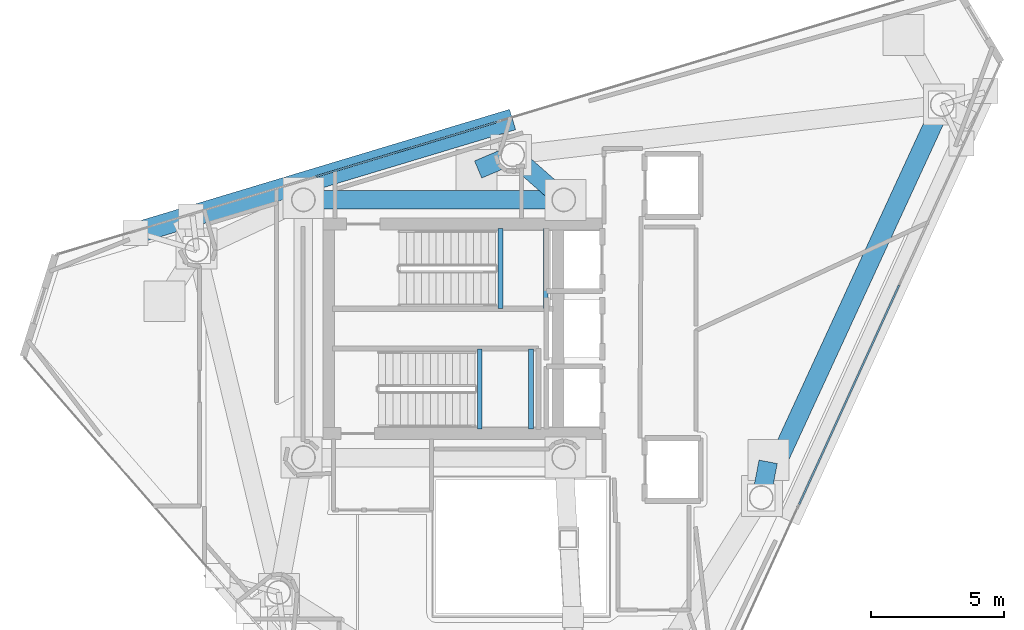
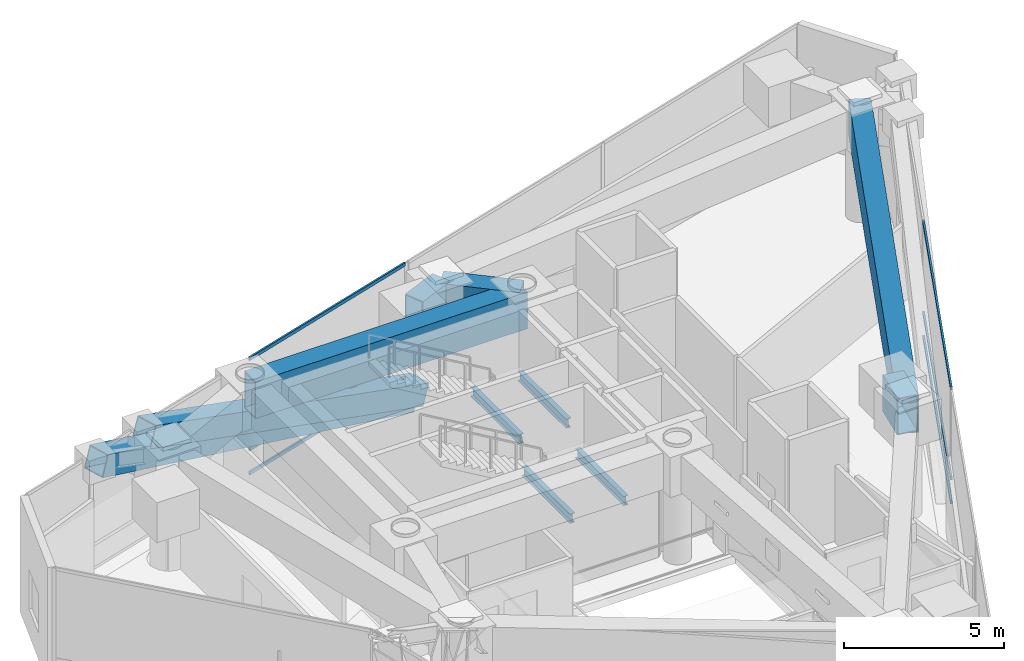
# One storey, part 10 of 20: 9 beams, 8 members, 2 elements without a shape of their own.
"""IFC4 building model written with IfcOpenShell, lengths in metres."""

from ifc_helpers import new_model, si_unit, direction, frame, origin, origin_2d, place, context, subcontext, project, spatial, hollow_rectangle, i_section, extrude, material, layer, layer_set, material_profile, profile_set, type_object, element, aggregate, save


model = new_model("IFC4")

# Units and contexts
model_context = context("Model", 3, precision=1e-05, world=origin(), true_north=direction((0.0, 1.0)))
body_context = subcontext(model_context, "Body", "Model", "MODEL_VIEW")
ifc_project = project(units=[si_unit("LENGTHUNIT", "METRE"), si_unit("AREAUNIT", "SQUARE_METRE"), si_unit("VOLUMEUNIT", "CUBIC_METRE"), si_unit("PLANEANGLEUNIT", "RADIAN"), si_unit("MASSUNIT", "GRAM", prefix="KILO")], contexts=[model_context])

# Site, building, storey
site_placement = place(None, origin())
site = spatial("IfcSite", under=ifc_project, at=site_placement, CompositionType="ELEMENT")
building_placement = place(site_placement, origin())
building = spatial("IfcBuilding", under=site, at=building_placement, Name="Qianvela Tower", CompositionType="ELEMENT")
storey_placement = place(building_placement, frame((0.0, 0.0, 321.300048828125)))
storey = spatial("IfcBuildingStorey", under=building, at=storey_placement, Name="L83", CompositionType="ELEMENT", Elevation=321.300048828125)

# Beams
ifc_material_1 = material(Name="Steel Q355B", Category="steel")
ifc_material_profile_1 = material_profile(ifc_material_1, i_section(OverallWidth=0.175048828125, OverallDepth=0.35009765625, WebThickness=0.007080078125, FlangeThickness=0.010986328125, at=origin_2d()), Name="HN350x175x7x11")
ifc_profile_set_1 = profile_set([ifc_material_profile_1], Name="Steel Q355B")
beam_type_1 = type_object("IfcBeamType", Name="BM-HN350-JOIST", PredefinedType="JOIST", material=ifc_profile_set_1)
for number, where, z_axis, x_axis, name in (
    (1, (36.02001953125, 29.4599609375, 1.925048828125), (0.0, 1.0, 0.0), (-1.0, 0.0, 0.0), "L83 Stair ST-1 Landing Support Beam 1.1"),
    (2, (37.719970703125, 29.4599609375, 1.925048828125), (0.0, 1.0, 0.0), (-1.0, 0.0, 0.0), "L83 Stair ST-1 Landing Support Beam 1.2"),
    (3, (35.239990234375, 24.919921875, 1.925048828125), (0.0, 1.0, 0.0), (-1.0, 0.0, 0.0), "L83 Stair ST-2 Landing Support Beam 1.1"),
    (4, (37.169921875, 24.919921875, 1.925048828125), (0.0, 1.0, 0.0), (-1.0, 0.0, 0.0), "L83 Stair ST-2 Landing Support Beam 1.2"),
):
    element("IfcBeam", number, at=place(storey_placement, frame(where, z_axis=z_axis, x_axis=x_axis)), inside=storey, type_object=beam_type_1, Name=name, PredefinedType="JOIST", context=body_context, shape_type="SweptSolid", body=[
        extrude(i_section(OverallWidth=0.175048828125, OverallDepth=0.35009765625, WebThickness=0.007080078125, FlangeThickness=0.010986328125, at=origin_2d()), origin(), (0.0, 0.0, 1.0), 3.02001953125),
    ])
ifc_material_2 = material(Name="Steel Q420GJC", Category="steel")
ifc_material_profile_2 = material_profile(ifc_material_2, hollow_rectangle(XDim=0.699951171875, YDim=1.39990234375, WallThickness=0.0400390625, at=origin_2d()), Name="TG-BOX-1400x700x40")
ifc_profile_set_2 = profile_set([ifc_material_profile_2], Name="Steel Q420GJC")
beam_type_2 = type_object("IfcBeamType", Name="BM-TG-RAD-1400", PredefinedType="BEAM", material=ifc_profile_set_2)
beam_1_placement = place(storey_placement, frame((28.60009765625, 33.550048828125, 3.718017578125), z_axis=(1.0, 0.0, 0.0), x_axis=(0.0, 1.0, 0.0)))
element("IfcBeam", 5, at=beam_1_placement, inside=storey, type_object=beam_type_2, Name="L83 Core Ring Transfer Girder 3", PredefinedType="BEAM", context=body_context, shape_type="SweptSolid", body=[
    extrude(hollow_rectangle(XDim=0.699951171875, YDim=1.39990234375, WallThickness=0.0400390625, at=origin_2d()), origin(), (0.0, 0.0, 1.0), 9.7998046875),
])
beam_2_placement = place(storey_placement, frame((45.833984375, 22.344970703125, 3.718017578125), z_axis=(0.418440097712, 0.908244396969, 0.0), x_axis=(-0.908244396969, 0.418440097712, 0.0)))
element("IfcBeam", 6, at=beam_2_placement, inside=storey, type_object=beam_type_2, Name="L83 Perimeter Belt-Truss Top Ring Girder 6", PredefinedType="BEAM", context=body_context, shape_type="SweptSolid", body=[
    extrude(hollow_rectangle(XDim=0.699951171875, YDim=1.39990234375, WallThickness=0.0400390625, at=origin_2d()), origin(), (0.0, 0.0, 1.0), 16.2841796875),
])
beam_3_placement = place(storey_placement, frame((38.39990234375, 33.550048828125, 3.718017578125), z_axis=(-0.750732416106, 0.660606417928, 0.0), x_axis=(-0.660606417928, -0.750732416106, 0.0)))
element("IfcBeam", 7, at=beam_3_placement, inside=storey, type_object=beam_type_2, Name="L83 Radial Outrigger Top Transfer Girder 2", PredefinedType="BEAM", context=body_context, shape_type="SweptSolid", body=[
    extrude(hollow_rectangle(XDim=0.699951171875, YDim=1.39990234375, WallThickness=0.0400390625, at=origin_2d()), origin(), (0.0, 0.0, 1.0), 2.5625),
])
ifc_material_3 = material(Name="Steel Q420GJC", Category="steel")
ifc_material_profile_3 = material_profile(ifc_material_3, hollow_rectangle(XDim=0.699951171875, YDim=1.39990234375, WallThickness=0.0400390625, at=origin_2d()), Name="TG-BOX-1400x700x40")
ifc_profile_set_3 = profile_set([ifc_material_profile_3], Name="Steel Q420GJC")
beam_type_3 = type_object("IfcBeamType", Name="BM-TG-STEP-1400", PredefinedType="BEAM", material=ifc_profile_set_3)
beam_4_placement = place(storey_placement, frame((36.47607421875, 35.242919921875, 3.718017578125), z_axis=(-0.921413572969, -0.388583359846, 0.0), x_axis=(0.388583359846, -0.921413572969, 0.0)))
element("IfcBeam", 8, at=beam_4_placement, inside=storey, type_object=beam_type_3, Name="L83 Zone-Step Transfer Girder 2", PredefinedType="BEAM", context=body_context, shape_type="SweptSolid", body=[
    extrude(hollow_rectangle(XDim=0.699951171875, YDim=1.39990234375, WallThickness=0.0400390625, at=origin_2d()), origin(), (0.0, 0.0, 1.0), 1.409912109375),
])
beam_5_placement = place(storey_placement, frame((45.833984375, 22.344970703125, 3.718017578125), z_axis=(0.190359643915, 0.981714421799, 0.0), x_axis=(-0.981714421799, 0.190359643915, 0.0)))
element("IfcBeam", 9, at=beam_5_placement, inside=storey, type_object=beam_type_3, Name="L83 Zone-Step Transfer Girder 6", PredefinedType="BEAM", context=body_context, shape_type="SweptSolid", body=[
    extrude(hollow_rectangle(XDim=0.699951171875, YDim=1.39990234375, WallThickness=0.0400390625, at=origin_2d()), origin(), (0.0, 0.0, 1.0), 1.37109375),
])

# Curtain wall, members
ifc_material_4 = material(Name="Anodised Architectural Aluminium and Insulated Spandrel Panel", Category="aluminium")
ifc_layer = layer(ifc_material_4, 0.179931640625)
ifc_layer_set = layer_set([ifc_layer], Name="Anodised Architectural Aluminium and Insulated Spandrel Panel")
curtain_wall_type = type_object("IfcCurtainWallType", Name="CW-BRACEBAY", PredefinedType="USERDEFINED", material=ifc_layer_set)
curtain_wall_1_placement = place(storey_placement, origin())
curtain_wall_1 = element("IfcCurtainWall", 10, at=curtain_wall_1_placement, inside=storey, type_object=curtain_wall_type, Name="L83 CW-BRACEBAY Curtain Wall 02B", ObjectType="CURTAIN_WALL_SYSTEM", PredefinedType="USERDEFINED")
ifc_material_5 = material(Name="Anodised Architectural Aluminium 6063-T6", Category="aluminium")
ifc_material_profile_4 = material_profile(ifc_material_5, hollow_rectangle(XDim=0.06494140625, YDim=0.1298828125, WallThickness=0.00439453125, at=origin_2d()), Name="ALU-TRAN-65x130")
ifc_profile_set_4 = profile_set([ifc_material_profile_4], Name="Anodised Architectural Aluminium 6063-T6")
member_type_1 = type_object("IfcMemberType", Name="CW-BRACEBAY-TRAN", PredefinedType="USERDEFINED", material=ifc_profile_set_4)
member_1_placement = place(storey_placement, frame((35.869384765625, 36.477294921875, 0.032470703125), z_axis=(-0.957482893399, -0.288490049825, 0.0), x_axis=(0.288490049825, -0.957482893399, 0.0)))
member_1 = element("IfcMember", 11, at=member_1_placement, type_object=member_type_1, Name="CW-9 transom 1.1", ObjectType="TRANSOM", PredefinedType="USERDEFINED", context=body_context, shape_type="SweptSolid", body=[
    extrude(hollow_rectangle(XDim=0.06494140625, YDim=0.1298828125, WallThickness=0.00439453125, at=origin_2d()), origin(), (0.0, 0.0, 1.0), 7.09765625),
])
member_2_placement = place(storey_placement, frame((35.869384765625, 36.477294921875, 0.949951171875), z_axis=(-0.957482893399, -0.288490049825, 0.0), x_axis=(0.288490049825, -0.957482893399, 0.0)))
member_2 = element("IfcMember", 12, at=member_2_placement, type_object=member_type_1, Name="CW-9 transom 1.2", ObjectType="TRANSOM", PredefinedType="USERDEFINED", context=body_context, shape_type="SweptSolid", body=[
    extrude(hollow_rectangle(XDim=0.06494140625, YDim=0.1298828125, WallThickness=0.00439453125, at=origin_2d()), origin(), (0.0, 0.0, 1.0), 7.09765625),
])
member_3_placement = place(storey_placement, frame((35.869384765625, 36.477294921875, 4.387451171875), z_axis=(-0.957482893399, -0.288490049825, 0.0), x_axis=(0.288490049825, -0.957482893399, 0.0)))
member_3 = element("IfcMember", 13, at=member_3_placement, type_object=member_type_1, Name="CW-9 transom 1.3", ObjectType="TRANSOM", PredefinedType="USERDEFINED", context=body_context, shape_type="SweptSolid", body=[
    extrude(hollow_rectangle(XDim=0.06494140625, YDim=0.1298828125, WallThickness=0.00439453125, at=origin_2d()), origin(), (0.0, 0.0, 1.0), 7.09765625),
])
aggregate(curtain_wall_1, [member_1, member_2, member_3])

curtain_wall_2_placement = place(storey_placement, origin())
curtain_wall_2 = element("IfcCurtainWall", 14, at=curtain_wall_2_placement, inside=storey, type_object=curtain_wall_type, Name="L83 CW-BRACEBAY Curtain Wall 06B", ObjectType="CURTAIN_WALL_SYSTEM", PredefinedType="USERDEFINED")
member_4_placement = place(storey_placement, frame((47.26123046875, 22.09326171875, 0.032470703125), z_axis=(0.415101410125, 0.909775147667, 0.0), x_axis=(-0.909775147667, 0.415101410125, 0.0)))
member_4 = element("IfcMember", 15, at=member_4_placement, type_object=member_type_1, Name="CW-9 transom 1.1", ObjectType="TRANSOM", PredefinedType="USERDEFINED", context=body_context, shape_type="SweptSolid", body=[
    extrude(hollow_rectangle(XDim=0.06494140625, YDim=0.1298828125, WallThickness=0.00439453125, at=origin_2d()), origin(), (0.0, 0.0, 1.0), 9.063232421875),
])
member_5_placement = place(storey_placement, frame((47.26123046875, 22.09326171875, 0.949951171875), z_axis=(0.415101410125, 0.909775147667, 0.0), x_axis=(-0.909775147667, 0.415101410125, 0.0)))
member_5 = element("IfcMember", 16, at=member_5_placement, type_object=member_type_1, Name="CW-9 transom 1.2", ObjectType="TRANSOM", PredefinedType="USERDEFINED", context=body_context, shape_type="SweptSolid", body=[
    extrude(hollow_rectangle(XDim=0.06494140625, YDim=0.1298828125, WallThickness=0.00439453125, at=origin_2d()), origin(), (0.0, 0.0, 1.0), 9.063232421875),
])
member_6_placement = place(storey_placement, frame((47.26123046875, 22.09326171875, 4.387451171875), z_axis=(0.415101410125, 0.909775147667, 0.0), x_axis=(-0.909775147667, 0.415101410125, 0.0)))
member_6 = element("IfcMember", 17, at=member_6_placement, type_object=member_type_1, Name="CW-9 transom 1.3", ObjectType="TRANSOM", PredefinedType="USERDEFINED", context=body_context, shape_type="SweptSolid", body=[
    extrude(hollow_rectangle(XDim=0.06494140625, YDim=0.1298828125, WallThickness=0.00439453125, at=origin_2d()), origin(), (0.0, 0.0, 1.0), 9.063232421875),
])
aggregate(curtain_wall_2, [member_4, member_5, member_6])

# Members
ifc_material_6 = material(Name="Steel Q420GJC", Category="steel")
ifc_material_profile_5 = material_profile(ifc_material_6, hollow_rectangle(XDim=0.800048828125, YDim=0.800048828125, WallThickness=0.028076171875, at=origin_2d()), Name="MBOX-800x800x28")
ifc_profile_set_5 = profile_set([ifc_material_profile_5], Name="Steel Q420GJC")
member_type_2 = type_object("IfcMemberType", Name="MBR-MBRACE-800", PredefinedType="BRACE", material=ifc_profile_set_5)
member_7_placement = place(storey_placement, frame((36.339111328125, 36.53515625, -0.60205078125), z_axis=(-0.895195809561, -0.269714899818, 0.354793369951), x_axis=(0.28848218362, -0.957485263455, 0.0)))
element("IfcMember", 18, at=member_7_placement, inside=storey, type_object=member_type_2, Name="L83 Tier 14 Exterior Mega-Brace F1A", PredefinedType="BRACE", context=body_context, shape_type="SweptSolid", body=[
    extrude(hollow_rectangle(XDim=0.800048828125, YDim=0.800048828125, WallThickness=0.028076171875, at=origin_2d()), origin(), (0.0, 0.0, 1.0), 13.303466796875),
])
member_8_placement = place(storey_placement, frame((35.917724609375, 36.408203125, -0.60205078125), z_axis=(-0.908433236999, -0.273703429405, 0.315967540496), x_axis=(0.288482381753, -0.957485203759, 0.0)))
element("IfcMember", 19, at=member_8_placement, inside=storey, type_object=member_type_2, Name="L83 Tier 14 Exterior Mega-Brace F1B", PredefinedType="BRACE", context=body_context, shape_type="SweptSolid", body=[
    extrude(hollow_rectangle(XDim=0.800048828125, YDim=0.800048828125, WallThickness=0.028076171875, at=origin_2d()), origin(), (0.0, 0.0, 1.0), 14.938232421875),
])

save(model, "model.ifc")
